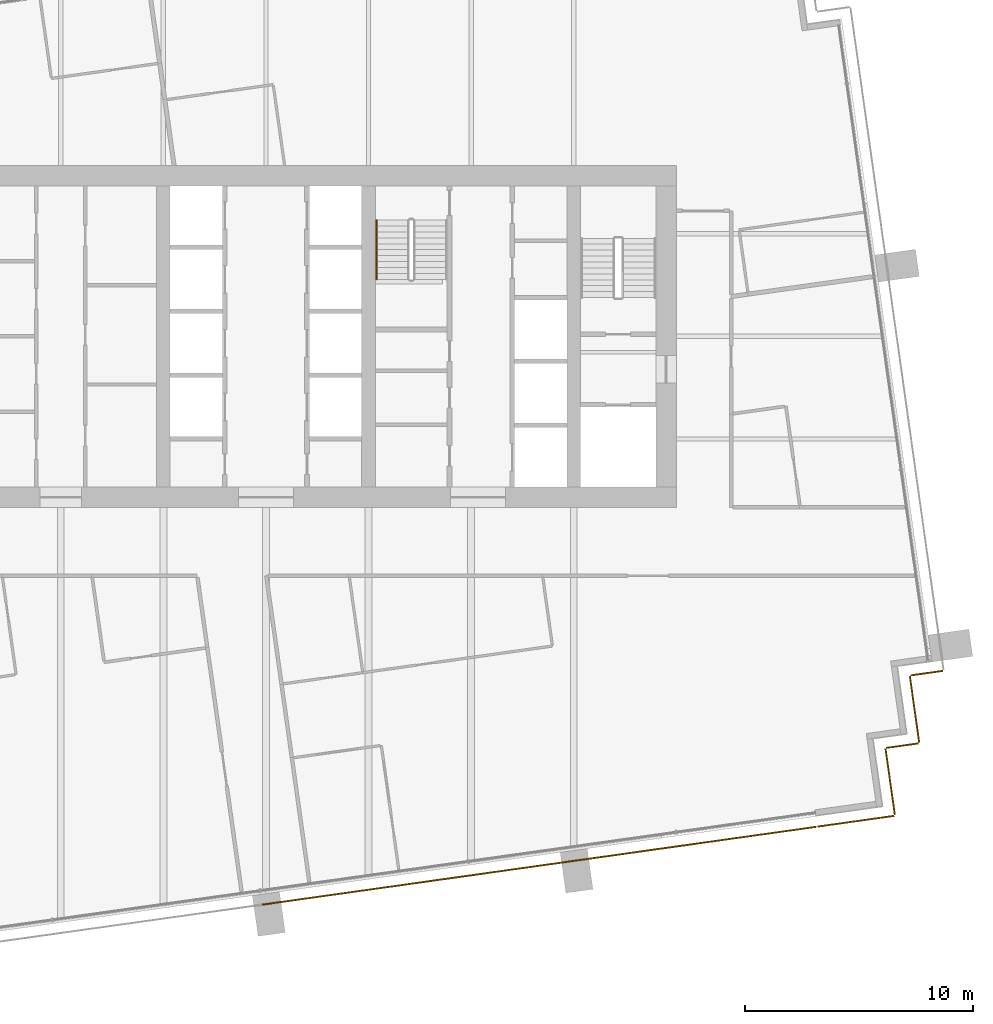
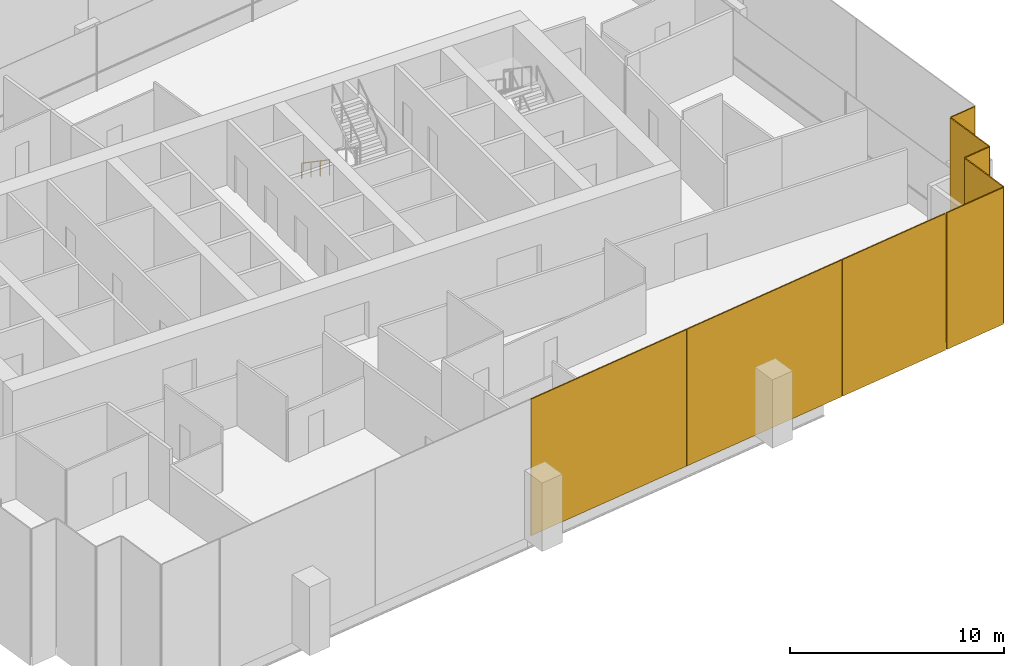
# One storey, part 14 of 17: 8 coverings, 1 railing.
"""IFC4 building model written with IfcOpenShell, lengths in metres."""

from ifc_helpers import new_model, si_unit, direction, frame, origin, origin_2d, place, context, subcontext, project, spatial, rectangle, extrude, material, layer, layer_set, type_object, element, save


model = new_model("IFC4")

# Units and contexts
model_context = context("Model", 3, precision=1e-05, world=origin(), true_north=direction((0.0, 1.0)))
body_context = subcontext(model_context, "Body", "Model", "MODEL_VIEW")
ifc_project = project(units=[si_unit("LENGTHUNIT", "METRE"), si_unit("AREAUNIT", "SQUARE_METRE"), si_unit("VOLUMEUNIT", "CUBIC_METRE"), si_unit("PLANEANGLEUNIT", "RADIAN"), si_unit("MASSUNIT", "GRAM", prefix="KILO")], contexts=[model_context])

# Site, building, storey
site_placement = place(None, origin())
site = spatial("IfcSite", under=ifc_project, at=site_placement, CompositionType="ELEMENT")
building_placement = place(site_placement, origin())
building = spatial("IfcBuilding", under=site, at=building_placement, Name="Rattan Terrace Tower", CompositionType="ELEMENT")
storey_placement = place(building_placement, frame((0.0, 0.0, 168.5)))
storey = spatial("IfcBuildingStorey", under=building, at=storey_placement, Name="L38", CompositionType="ELEMENT", Elevation=168.5)

# Railing
ifc_material_1 = material(Name="Powder-coated steel handrail", Category="steel")
railing_type = type_object("IfcRailingType", Name="Core stair handrail", PredefinedType="HANDRAIL", material=ifc_material_1)
railing_placement = place(storey_placement, frame((4.85009765625, 5.10009765625, 0.17724609375)))
element("IfcRailing", 1, at=railing_placement, inside=storey, type_object=railing_type, Name="L38 S3 stair handrail 1", PredefinedType="HANDRAIL", context=body_context, shape_type="SweptSolid", body=[
    extrude(rectangle(XDim=0.048095703125, YDim=0.048095703125, at=origin_2d()), frame((0.0, 0.0, 0.8759765625), z_axis=(0.0, -0.826240473404, 0.563317565952), x_axis=(1.0, 0.0, 0.0)), (0.0, 0.0, 1.0), 3.14697265625),
    extrude(rectangle(XDim=0.0419921875, YDim=0.0419921875, at=origin_2d()), origin(), (0.0, 0.0, 1.0), 0.851806640625),
    extrude(rectangle(XDim=0.0419921875, YDim=0.0419921875, at=origin_2d()), frame((0.0, -0.86669921875, 0.5908203125)), (0.0, 0.0, 1.0), 0.851806640625),
    extrude(rectangle(XDim=0.0419921875, YDim=0.0419921875, at=origin_2d()), frame((0.0, -1.7333984375, 1.181884765625)), (0.0, 0.0, 1.0), 0.851806640625),
    extrude(rectangle(XDim=0.0419921875, YDim=0.0419921875, at=origin_2d()), frame((0.0, -2.60009765625, 1.772705078125)), (0.0, 0.0, 1.0), 0.851806640625),
])

# Coverings
ifc_material_2 = material(Name="Perforated terracotta", Category="masonry")
ifc_layer = layer(ifc_material_2, 0.06005859375)
ifc_layer_set = layer_set([ifc_layer], Name="Facade Terracotta Screen Panel")
covering_type = type_object("IfcCoveringType", Name="Facade Terracotta Screen Panel", PredefinedType="CLADDING", material=ifc_layer_set)
covering_1_placement = place(storey_placement, frame((25.8798828125, -21.266357421875, -0.18994140625), z_axis=(0.0, 0.0, 1.0), x_axis=(0.990247240581, 0.139321220646, 0.0)))
element("IfcCovering", 2, at=covering_1_placement, inside=storey, type_object=covering_type, Name="OUTER SKIN panel L38-1", PredefinedType="CLADDING", context=body_context, shape_type="SweptSolid", body=[
    extrude(rectangle(XDim=3.370361328125, YDim=0.06005859375, at=origin_2d()), origin(), (0.0, 0.0, 1.0), 7.780029296875),
])
covering_2_placement = place(storey_placement, frame((27.37939453125, -19.54052734375, -0.18994140625), z_axis=(0.0, 0.0, 1.0), x_axis=(-0.139321220646, 0.990247240581, 0.0)))
element("IfcCovering", 3, at=covering_2_placement, inside=storey, type_object=covering_type, Name="OUTER SKIN panel L38-2", PredefinedType="CLADDING", context=body_context, shape_type="SweptSolid", body=[
    extrude(rectangle(XDim=2.919921875, YDim=0.06005859375, at=origin_2d()), origin(), (0.0, 0.0, 1.0), 7.780029296875),
])
covering_3_placement = place(storey_placement, frame((27.913330078125, -17.951171875, -0.18994140625), z_axis=(0.0, 0.0, 1.0), x_axis=(0.990345406709, 0.138621698915, 0.0)))
element("IfcCovering", 4, at=covering_3_placement, inside=storey, type_object=covering_type, Name="OUTER SKIN panel L38-3", PredefinedType="CLADDING", context=body_context, shape_type="SweptSolid", body=[
    extrude(rectangle(XDim=1.42041015625, YDim=0.06005859375, at=origin_2d()), origin(), (0.0, 0.0, 1.0), 7.780029296875),
])
covering_4_placement = place(storey_placement, frame((28.447265625, -16.361572265625, -0.18994140625), z_axis=(0.0, 0.0, 1.0), x_axis=(-0.139321220646, 0.990247240581, 0.0)))
element("IfcCovering", 5, at=covering_4_placement, inside=storey, type_object=covering_type, Name="OUTER SKIN panel L38-4", PredefinedType="CLADDING", context=body_context, shape_type="SweptSolid", body=[
    extrude(rectangle(XDim=2.920654296875, YDim=0.06005859375, at=origin_2d()), origin(), (0.0, 0.0, 1.0), 7.780029296875),
])
covering_5_placement = place(storey_placement, frame((28.981201171875, -14.771484375, -0.18994140625), z_axis=(0.0, 0.0, 1.0), x_axis=(0.99025370695, 0.139275252184, 0.0)))
element("IfcCovering", 6, at=covering_5_placement, inside=storey, type_object=covering_type, Name="OUTER SKIN panel L38-5", PredefinedType="CLADDING", context=body_context, shape_type="SweptSolid", body=[
    extrude(rectangle(XDim=1.420654296875, YDim=0.06005859375, at=origin_2d()), origin(), (0.0, 0.0, 1.0), 7.780029296875),
])
for number, where, z_axis, x_axis, name in (
    (7, (4.39794921875, -24.285400390625, -0.18994140625), (0.0, 0.0, 1.0), (0.990269702686, 0.139161474347, 0.0), "OUTER SKIN panel L38-36"),
    (8, (13.521484375, -23.003173828125, -0.18994140625), (0.0, 0.0, 1.0), (0.990269702686, 0.139161474347, 0.0), "OUTER SKIN panel L38-37"),
):
    element("IfcCovering", number, at=place(storey_placement, frame(where, z_axis=z_axis, x_axis=x_axis)), inside=storey, type_object=covering_type, Name=name, PredefinedType="CLADDING", context=body_context, shape_type="SweptSolid", body=[
        extrude(rectangle(XDim=9.193115234375, YDim=0.06005859375, at=origin_2d()), origin(), (0.0, 0.0, 1.0), 7.780029296875),
    ])
covering_6_placement = place(storey_placement, frame((21.112548828125, -21.9365234375, -0.18994140625), z_axis=(0.0, 0.0, 1.0), x_axis=(0.990269702686, 0.139161474347, 0.0)))
element("IfcCovering", 9, at=covering_6_placement, inside=storey, type_object=covering_type, Name="OUTER SKIN panel L38-38", PredefinedType="CLADDING", context=body_context, shape_type="SweptSolid", body=[
    extrude(rectangle(XDim=6.098388671875, YDim=0.06005859375, at=origin_2d()), origin(), (0.0, 0.0, 1.0), 7.780029296875),
])

save(model, "model.ifc")
